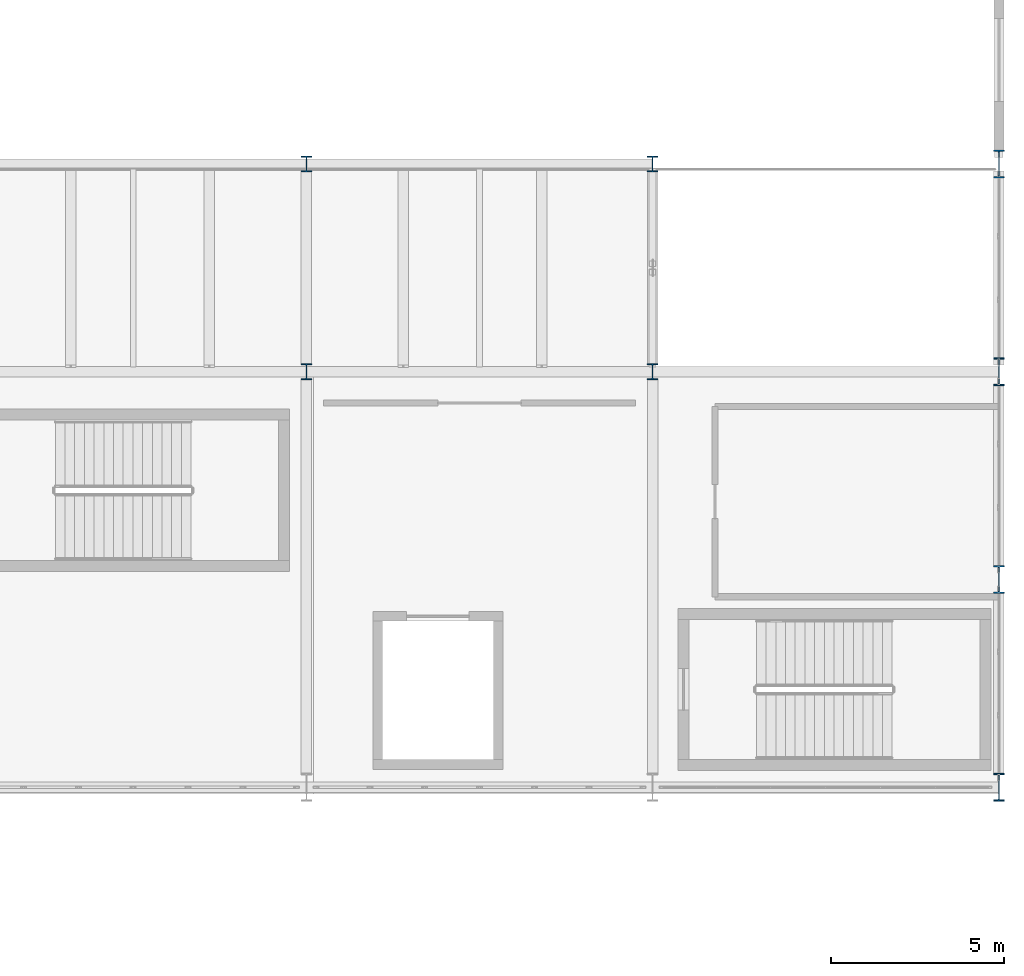
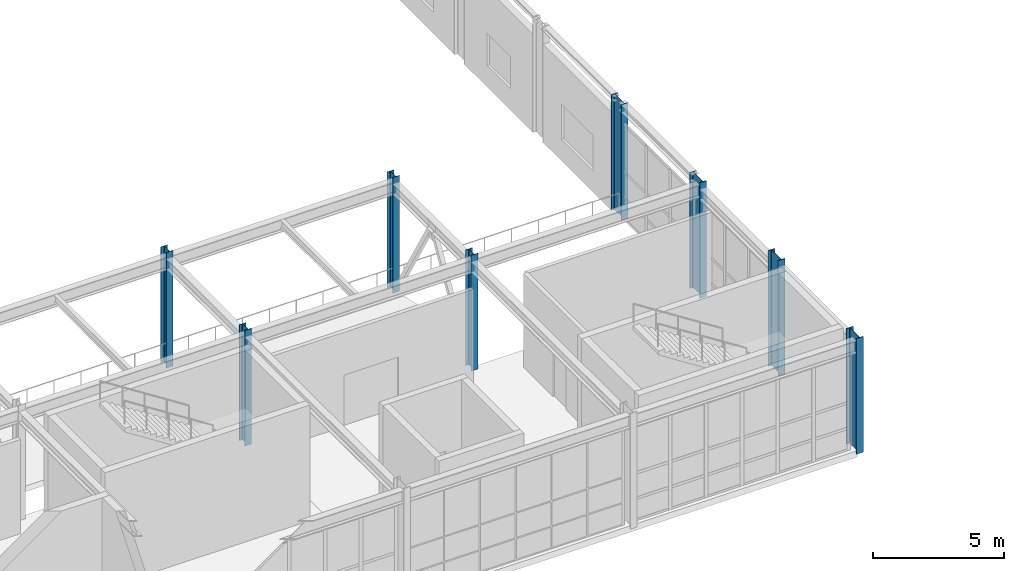
# One storey, part 16 of 210: 8 columns.
"""IFC4 building model written with IfcOpenShell, lengths in metres."""

from ifc_helpers import new_model, si_unit, direction, frame, origin, origin_2d, place, context, subcontext, project, spatial, i_section, extrude, material, material_profile, profile_set, type_object, element, save


model = new_model("IFC4")

# Units and contexts
model_context = context("Model", 3, precision=1e-05, world=origin(), true_north=direction((0.0, 1.0)))
body_context = subcontext(model_context, "Body", "Model", "MODEL_VIEW")
ifc_project = project(units=[si_unit("LENGTHUNIT", "METRE"), si_unit("AREAUNIT", "SQUARE_METRE"), si_unit("VOLUMEUNIT", "CUBIC_METRE"), si_unit("PLANEANGLEUNIT", "RADIAN"), si_unit("MASSUNIT", "GRAM", prefix="KILO")], contexts=[model_context])

# Site, building, storey
site_placement = place(None, origin())
site = spatial("IfcSite", under=ifc_project, at=site_placement, CompositionType="ELEMENT")
building_placement = place(site_placement, origin())
building = spatial("IfcBuilding", under=site, at=building_placement, Name="Kaldris Quays Convention Centre", CompositionType="ELEMENT")
storey_placement = place(building_placement, frame((0.0, 0.0, 6.0)))
storey = spatial("IfcBuildingStorey", under=building, at=storey_placement, Name="L01", CompositionType="ELEMENT", Elevation=6.0)

# Columns
ifc_material = material(Name="Steel S355J2", Category="steel")
ifc_material_profile_1 = material_profile(ifc_material, i_section(OverallWidth=0.300048828125, OverallDepth=0.800048828125, WebThickness=0.017578125, FlangeThickness=0.032958984375, FilletRadius=0.030029296875, at=origin_2d()), Name="HEB 800")
ifc_profile_set_1 = profile_set([ifc_material_profile_1], Name="Steel S355J2")
column_type_1 = type_object("IfcColumnType", Name="STRUCTURAL COLUMN CL04", PredefinedType="COLUMN", material=ifc_profile_set_1)
for number, where, z_axis, x_axis, name in (
    (1, (204.0, 56.0, 0.0), (0.0, 0.0, 1.0), (1.0, 0.0, 0.0), "L01 V2 Column CL04 (204.00, 56.00)"),
    (2, (204.0, 62.0, 0.0), (0.0, 0.0, 1.0), (1.0, 0.0, 0.0), "L01 V2 Column CL04 (204.00, 62.00)"),
    (3, (204.0, 68.0, 0.0), (0.0, 0.0, 1.0), (1.0, 0.0, 0.0), "L01 V2 Column CL04 (204.00, 68.00)"),
    (4, (204.0, 74.0, 0.0), (0.0, 0.0, 1.0), (1.0, 0.0, 0.0), "L01 V2 Column CL04 (204.00, 74.00)"),
):
    element("IfcColumn", number, at=place(storey_placement, frame(where, z_axis=z_axis, x_axis=x_axis)), inside=storey, type_object=column_type_1, Name=name, PredefinedType="COLUMN", context=body_context, shape_type="SweptSolid", body=[
        extrude(i_section(OverallWidth=0.300048828125, OverallDepth=0.800048828125, WebThickness=0.017578125, FlangeThickness=0.032958984375, FilletRadius=0.030029296875, at=origin_2d()), origin(), (0.0, 0.0, 1.0), 5.39990234375),
    ])
ifc_material_profile_2 = material_profile(ifc_material, i_section(OverallWidth=0.300048828125, OverallDepth=0.449951171875, WebThickness=0.013916015625, FlangeThickness=0.02587890625, FilletRadius=0.027099609375, at=origin_2d()), Name="HEB 450")
ifc_profile_set_2 = profile_set([ifc_material_profile_2], Name="Steel S355J2")
column_type_2 = type_object("IfcColumnType", Name="STRUCTURAL COLUMN CL08", PredefinedType="COLUMN", material=ifc_profile_set_2)
for number, where, z_axis, x_axis, name in (
    (5, (184.0, 68.0, 0.0), (0.0, 0.0, 1.0), (1.0, 0.0, 0.0), "L01 V2 Column CL08 (184.00, 68.00)"),
    (6, (184.0, 74.0, 0.0), (0.0, 0.0, 1.0), (1.0, 0.0, 0.0), "L01 V2 Column CL08 (184.00, 74.00)"),
    (7, (194.0, 68.0, 0.0), (0.0, 0.0, 1.0), (1.0, 0.0, 0.0), "L01 V2 Column CL08 (194.00, 68.00)"),
    (8, (194.0, 74.0, 0.0), (0.0, 0.0, 1.0), (1.0, 0.0, 0.0), "L01 V2 Column CL08 (194.00, 74.00)"),
):
    element("IfcColumn", number, at=place(storey_placement, frame(where, z_axis=z_axis, x_axis=x_axis)), inside=storey, type_object=column_type_2, Name=name, PredefinedType="COLUMN", context=body_context, shape_type="SweptSolid", body=[
        extrude(i_section(OverallWidth=0.300048828125, OverallDepth=0.449951171875, WebThickness=0.013916015625, FlangeThickness=0.02587890625, FilletRadius=0.027099609375, at=origin_2d()), origin(), (0.0, 0.0, 1.0), 5.39990234375),
    ])

save(model, "model.ifc")
